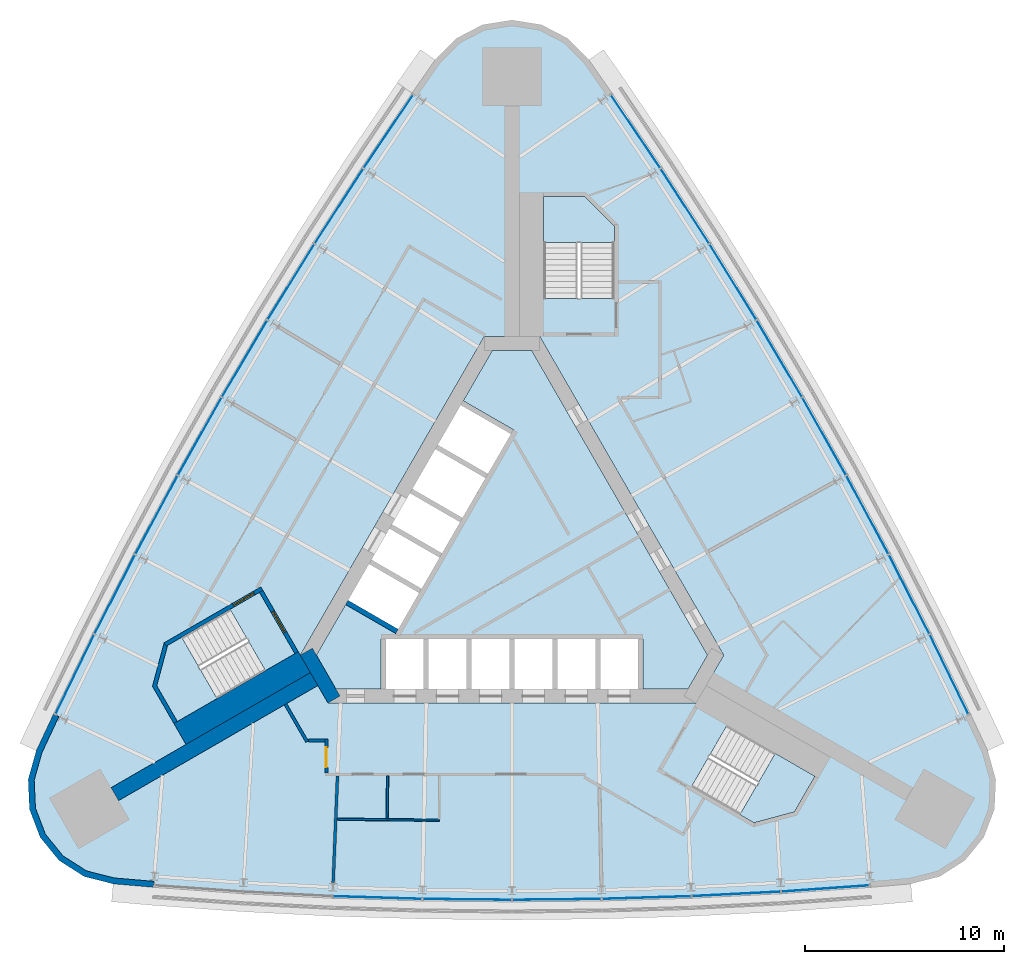
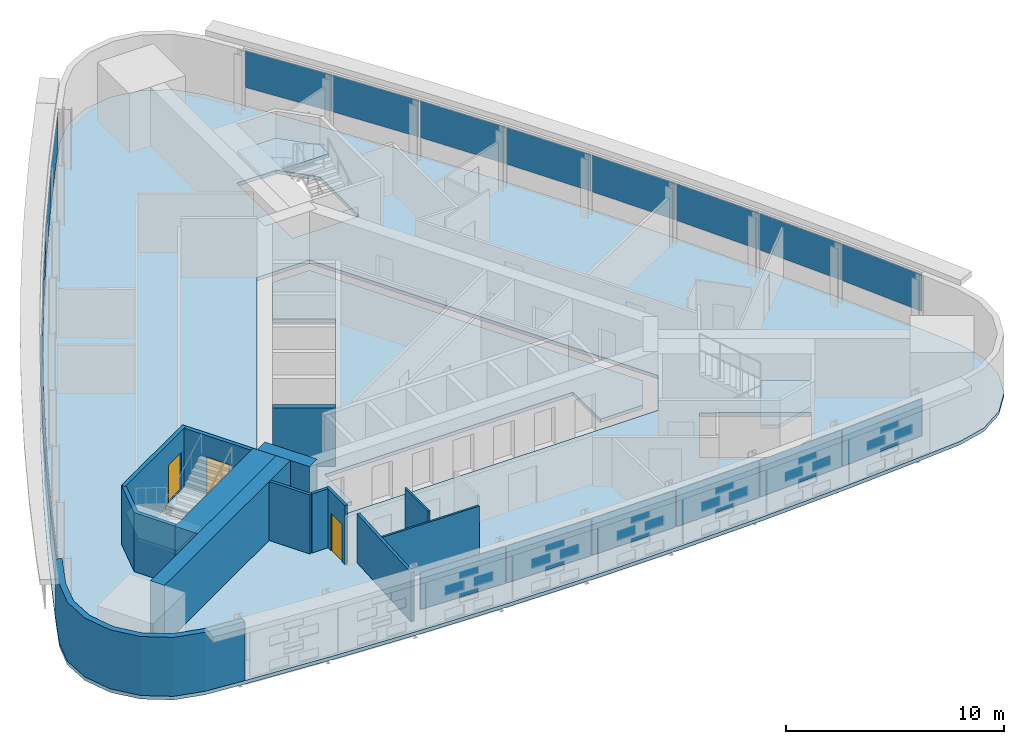
# One storey, part 6 of 11: 22 plates, 14 walls, 5 slabs, 3 doors, 3 openings, 6 elements without a shape of their own.
"""IFC4 building model written with IfcOpenShell, lengths in metres."""

from ifc_helpers import new_model, si_unit, direction, frame, frame_2d, origin, origin_2d, place, context, subcontext, project, spatial, polyline, rectangle, outline, extrude, material, layer, layer_set, type_object, element, fill, aggregate, save


model = new_model("IFC4")

# Units and contexts
model_context = context("Model", 3, precision=1e-05, world=origin(), true_north=direction((0.0, 1.0)))
body_context = subcontext(model_context, "Body", "Model", "MODEL_VIEW")
ifc_project = project(units=[si_unit("LENGTHUNIT", "METRE"), si_unit("AREAUNIT", "SQUARE_METRE"), si_unit("VOLUMEUNIT", "CUBIC_METRE"), si_unit("PLANEANGLEUNIT", "RADIAN"), si_unit("MASSUNIT", "GRAM", prefix="KILO")], contexts=[model_context])

# Site, building, storey
site_placement = place(None, origin())
site = spatial("IfcSite", under=ifc_project, at=site_placement, CompositionType="ELEMENT")
building_placement = place(site_placement, origin())
building = spatial("IfcBuilding", under=site, at=building_placement, Name="Noor Cloister Tower", CompositionType="ELEMENT")
storey_placement = place(building_placement, frame((0.0, 0.0, 123.89990234375)))
storey = spatial("IfcBuildingStorey", under=building, at=storey_placement, Name="L32", CompositionType="ELEMENT", Elevation=123.89990234375)

# Slabs
ifc_material_1 = material(Name="Concrete C40/50", Category="concrete")
ifc_layer_1 = layer(ifc_material_1, 0.199951171875)
ifc_layer_set_1 = layer_set([ifc_layer_1], Name="Core floor slab 200 C40/50")
slab_type_1 = type_object("IfcSlabType", Name="Core floor slab 200 C40/50", PredefinedType="FLOOR", material=ifc_layer_set_1)
slab_1_placement = place(storey_placement, frame((0.0, 0.0, -0.199951171875)))
element("IfcSlab", 1, at=slab_1_placement, inside=storey, type_object=slab_type_1, Name="Core floor L32", PredefinedType="FLOOR", context=body_context, shape_type="SweptSolid", body=[
    extrude(outline(polyline([(-6.574951171875, -6.228271484375), (-6.574951171875, -3.728271484375), (6.574951171875, -3.728271484375), (6.574951171875, -6.228271484375), (8.82470703125, -6.228271484375), (9.80615234375, -4.5283203125), (0.9814453125, 10.75634765625), (-0.9814453125, 10.75634765625), (-2.44384765625, 8.2236328125), (0.067626953125, 6.773681640625), (-5.832275390625, -3.4453125), (-8.34375, -1.995361328125), (-9.80615234375, -4.5283203125), (-8.82470703125, -6.228271484375), (-6.574951171875, -6.228271484375)])), origin(), (0.0, 0.0, 1.0), 0.199951171875),
])
ifc_material_2 = material(Name="Concrete C40/50", Category="concrete")
ifc_layer_2 = layer(ifc_material_2, 0.199951171875)
ifc_layer_set_2 = layer_set([ifc_layer_2], Name="Floor slab 200 C40/50")
slab_type_2 = type_object("IfcSlabType", Name="Floor slab 200 C40/50", PredefinedType="FLOOR", material=ifc_layer_set_2)
slab_2_placement = place(storey_placement, frame((0.0, 0.0, -0.199951171875)))
element("IfcSlab", 2, at=slab_2_placement, inside=storey, type_object=slab_type_2, Name="Floor slab L32", PredefinedType="FLOOR", context=body_context, shape_type="SweptSolid", body=[
    extrude(outline(polyline([(3.853271484375, 25.31689453125), (2.807373046875, 26.38818359375), (1.478271484375, 27.07763671875), (0.0, 27.3154296875), (-1.478271484375, 27.07763671875), (-2.807373046875, 26.38818359375), (-3.853271484375, 25.31689453125), (-5.0126953125, 23.65576171875), (-7.533447265625, 19.92822265625), (-9.978271484375, 16.150390625), (-12.345703125, 12.323486328125), (-14.635009765625, 8.449462890625), (-16.845458984375, 4.52978515625), (-18.9755859375, 0.566162109375), (-21.025146484375, -3.43994140625), (-22.992919921875, -7.48681640625), (-23.851806640625, -9.321533203125), (-24.256591796875, -10.762939453125), (-24.18896484375, -12.258544921875), (-23.65576171875, -13.65771484375), (-22.710693359375, -14.81884765625), (-21.44921875, -15.625244140625), (-19.99853515625, -15.995361328125), (-17.980224609375, -16.1689453125), (-13.49169921875, -16.48828125), (-8.99755859375, -16.716552734375), (-4.499755859375, -16.853515625), (0.0, -16.899169921875), (4.499755859375, -16.853515625), (8.99755859375, -16.716552734375), (13.49169921875, -16.48828125), (17.980224609375, -16.1689453125), (19.99853515625, -15.995361328125), (21.44921875, -15.625244140625), (22.710693359375, -14.81884765625), (23.65576171875, -13.65771484375), (24.18896484375, -12.258544921875), (24.256591796875, -10.762939453125), (23.851806640625, -9.321533203125), (22.992919921875, -7.48681640625), (21.025146484375, -3.43994140625), (18.9755859375, 0.566162109375), (16.845458984375, 4.52978515625), (14.635009765625, 8.449462890625), (12.345703125, 12.323486328125), (9.978271484375, 16.150390625), (7.533447265625, 19.92822265625), (5.0126953125, 23.65576171875), (3.853271484375, 25.31689453125)]), holes=[polyline([(8.999755859375, -11.126220703125), (12.131591796875, -12.934326171875), (14.1572265625, -12.3916015625), (15.19091796875, -10.601318359375), (10.774658203125, -8.0517578125), (8.999755859375, -11.126220703125)]), polyline([(-17.81005859375, -6.064697265625), (-16.776611328125, -7.85498046875), (-12.3603515625, -5.305419921875), (-14.13525390625, -2.23095703125), (-16.662841796875, -3.690185546875), (-17.267333984375, -4.039306640625), (-17.81005859375, -6.064697265625)]), polyline([(-10.6142578125, -4.5283203125), (-9.228759765625, -6.92822265625), (9.228759765625, -6.92822265625), (10.6142578125, -4.5283203125), (1.3857421875, 11.456298828125), (-1.3857421875, 11.456298828125), (-10.6142578125, -4.5283203125)]), polyline([(3.65283203125, 18.456298828125), (1.585693359375, 18.456298828125), (1.585693359375, 13.35693359375), (5.135498046875, 13.35693359375), (5.135498046875, 16.9736328125), (3.65283203125, 18.456298828125)])]), origin(), (0.0, 0.0, 1.0), 0.199951171875),
])

# Curtain wall, plates
ifc_material_3 = material(Name="Aluminium 6063-T6 anodised", Category="aluminium")
curtain_wall_type = type_object("IfcCurtainWallType", Name="Ribbon curtain wall, lower tower CW1", PredefinedType="NOTDEFINED", material=ifc_material_3)
curtain_wall_1_placement = place(storey_placement, origin())
curtain_wall_1 = element("IfcCurtainWall", 3, at=curtain_wall_1_placement, inside=storey, type_object=curtain_wall_type, Name="CW1 L32 NW run 1", PredefinedType="NOTDEFINED")
ifc_material_4 = material(Name="Clear laminated glass 2 x 8 mm", Category="glass")
ifc_layer_3 = layer(ifc_material_4, 0.028076171875)
ifc_layer_set_3 = layer_set([ifc_layer_3], Name="Glass panel CW1")
plate_type = type_object("IfcPlateType", Name="Glass panel CW1", PredefinedType="CURTAIN_PANEL", material=ifc_layer_set_3)
plate_1_placement = place(storey_placement, frame((-6.201171875, 21.719970703125, 1.08984375), z_axis=(0.0, 0.0, 1.0), x_axis=(-0.560202787374, -0.828355501592, 0.0)))
plate_1 = element("IfcPlate", 4, at=plate_1_placement, type_object=plate_type, Name="CW1 glass panel 1", PredefinedType="CURTAIN_PANEL", context=body_context, shape_type="SweptSolid", body=[
    extrude(rectangle(XDim=4.39892578125, YDim=0.028076171875, at=origin_2d()), origin(), (0.0, 0.0, 1.0), 2.070068359375),
])
plate_2_placement = place(storey_placement, frame((-8.671875, 17.985107421875, 1.08984375), z_axis=(0.0, 0.0, 1.0), x_axis=(-0.543277273915, -0.839553335797, 0.0)))
plate_2 = element("IfcPlate", 5, at=plate_2_placement, type_object=plate_type, Name="CW1 glass panel 2", PredefinedType="CURTAIN_PANEL", context=body_context, shape_type="SweptSolid", body=[
    extrude(rectangle(XDim=4.43798828125, YDim=0.028076171875, at=origin_2d()), origin(), (0.0, 0.0, 1.0), 2.070068359375),
])
plate_3_placement = place(storey_placement, frame((-11.076904296875, 14.184326171875, 1.08984375), z_axis=(0.0, 0.0, 1.0), x_axis=(-0.526127988992, -0.850405396972, 0.0)))
plate_3 = element("IfcPlate", 6, at=plate_3_placement, type_object=plate_type, Name="CW1 glass panel 3", PredefinedType="CURTAIN_PANEL", context=body_context, shape_type="SweptSolid", body=[
    extrude(rectangle(XDim=4.43798828125, YDim=0.028076171875, at=origin_2d()), origin(), (0.0, 0.0, 1.0), 2.070068359375),
])
plate_4_placement = place(storey_placement, frame((-13.404296875, 10.335693359375, 1.08984375), z_axis=(0.0, 0.0, 1.0), x_axis=(-0.508762010257, -0.860907205754, 0.0)))
plate_4 = element("IfcPlate", 7, at=plate_4_placement, type_object=plate_type, Name="CW1 glass panel 4", PredefinedType="CURTAIN_PANEL", context=body_context, shape_type="SweptSolid", body=[
    extrude(rectangle(XDim=4.43798828125, YDim=0.028076171875, at=origin_2d()), origin(), (0.0, 0.0, 1.0), 2.070068359375),
])
plate_5_placement = place(storey_placement, frame((-15.653076171875, 6.440673828125, 1.08984375), z_axis=(0.0, 0.0, 1.0), x_axis=(-0.491186505355, -0.87105442824, 0.0)))
plate_5 = element("IfcPlate", 8, at=plate_5_placement, type_object=plate_type, Name="CW1 glass panel 5", PredefinedType="CURTAIN_PANEL", context=body_context, shape_type="SweptSolid", body=[
    extrude(rectangle(XDim=4.43798828125, YDim=0.028076171875, at=origin_2d()), origin(), (0.0, 0.0, 1.0), 2.070068359375),
])
plate_6_placement = place(storey_placement, frame((-17.822509765625, 2.500732421875, 1.08984375), z_axis=(0.0, 0.0, 1.0), x_axis=(-0.473408682797, -0.880842902595, 0.0)))
plate_6 = element("IfcPlate", 9, at=plate_6_placement, type_object=plate_type, Name="CW1 glass panel 6", PredefinedType="CURTAIN_PANEL", context=body_context, shape_type="SweptSolid", body=[
    extrude(rectangle(XDim=4.43798828125, YDim=0.028076171875, at=origin_2d()), origin(), (0.0, 0.0, 1.0), 2.070068359375),
])
plate_7_placement = place(storey_placement, frame((-19.911376953125, -1.482421875, 1.08984375), z_axis=(0.0, 0.0, 1.0), x_axis=(-0.455435879675, -0.890268588407, 0.0)))
plate_7 = element("IfcPlate", 10, at=plate_7_placement, type_object=plate_type, Name="CW1 glass panel 7", PredefinedType="CURTAIN_PANEL", context=body_context, shape_type="SweptSolid", body=[
    extrude(rectangle(XDim=4.43798828125, YDim=0.028076171875, at=origin_2d()), origin(), (0.0, 0.0, 1.0), 2.070068359375),
])
plate_8_placement = place(storey_placement, frame((-21.91064453125, -5.489501953125, 1.08984375), z_axis=(0.0, 0.0, 1.0), x_axis=(-0.437275514056, -0.899327595933, 0.0)))
plate_8 = element("IfcPlate", 11, at=plate_8_placement, type_object=plate_type, Name="CW1 glass panel 8", PredefinedType="CURTAIN_PANEL", context=body_context, shape_type="SweptSolid", body=[
    extrude(rectangle(XDim=4.39892578125, YDim=0.028076171875, at=origin_2d()), origin(), (0.0, 0.0, 1.0), 2.070068359375),
])
aggregate(curtain_wall_1, [plate_1, plate_2, plate_3, plate_4, plate_5, plate_6, plate_7, plate_8])

curtain_wall_2_placement = place(storey_placement, origin())
curtain_wall_2 = element("IfcCurtainWall", 12, at=curtain_wall_2_placement, inside=storey, type_object=curtain_wall_type, Name="CW1 L32 S run 2", PredefinedType="NOTDEFINED")
plate_9_placement = place(storey_placement, frame((-6.74560546875, -16.68505859375, 1.08984375), z_axis=(0.0, 0.0, 1.0), x_axis=(0.999536671789, -0.030437505623, 0.0)))
plate_9 = element("IfcPlate", 13, at=plate_9_placement, type_object=plate_type, Name="CW1 glass panel 3", PredefinedType="CURTAIN_PANEL", context=body_context, shape_type="SweptSolid", body=[
    extrude(rectangle(XDim=4.43798828125, YDim=0.028076171875, at=origin_2d()), origin(), (0.0, 0.0, 1.0), 2.070068359375),
])
plate_10_placement = place(storey_placement, frame((-2.248779296875, -16.7763671875, 1.08984375), z_axis=(0.0, 0.0, 1.0), x_axis=(0.999948515613, -0.010147222486, 0.0)))
plate_10 = element("IfcPlate", 14, at=plate_10_placement, type_object=plate_type, Name="CW1 glass panel 4", PredefinedType="CURTAIN_PANEL", context=body_context, shape_type="SweptSolid", body=[
    extrude(rectangle(XDim=4.43798828125, YDim=0.028076171875, at=origin_2d()), origin(), (0.0, 0.0, 1.0), 2.070068359375),
])
plate_11_placement = place(storey_placement, frame((2.248779296875, -16.7763671875, 1.08984375), z_axis=(0.0, 0.0, 1.0), x_axis=(0.999948515613, 0.010147222486, 0.0)))
plate_11 = element("IfcPlate", 15, at=plate_11_placement, type_object=plate_type, Name="CW1 glass panel 5", PredefinedType="CURTAIN_PANEL", context=body_context, shape_type="SweptSolid", body=[
    extrude(rectangle(XDim=4.43798828125, YDim=0.028076171875, at=origin_2d()), origin(), (0.0, 0.0, 1.0), 2.070068359375),
])
plate_12_placement = place(storey_placement, frame((6.74560546875, -16.68505859375, 1.08984375), z_axis=(0.0, 0.0, 1.0), x_axis=(0.999536671789, 0.030437505623, 0.0)))
plate_12 = element("IfcPlate", 16, at=plate_12_placement, type_object=plate_type, Name="CW1 glass panel 6", PredefinedType="CURTAIN_PANEL", context=body_context, shape_type="SweptSolid", body=[
    extrude(rectangle(XDim=4.43798828125, YDim=0.028076171875, at=origin_2d()), origin(), (0.0, 0.0, 1.0), 2.070068359375),
])
plate_13_placement = place(storey_placement, frame((11.239501953125, -16.50244140625, 1.08984375), z_axis=(0.0, 0.0, 1.0), x_axis=(0.998713153589, 0.050715252611, 0.0)))
plate_13 = element("IfcPlate", 17, at=plate_13_placement, type_object=plate_type, Name="CW1 glass panel 7", PredefinedType="CURTAIN_PANEL", context=body_context, shape_type="SweptSolid", body=[
    extrude(rectangle(XDim=4.43798828125, YDim=0.028076171875, at=origin_2d()), origin(), (0.0, 0.0, 1.0), 2.070068359375),
])
plate_14_placement = place(storey_placement, frame((15.70947265625, -16.230224609375, 1.08984375), z_axis=(0.0, 0.0, 1.0), x_axis=(0.997478301431, 0.070972094341, 0.0)))
plate_14 = element("IfcPlate", 18, at=plate_14_placement, type_object=plate_type, Name="CW1 glass panel 8", PredefinedType="CURTAIN_PANEL", context=body_context, shape_type="SweptSolid", body=[
    extrude(rectangle(XDim=4.39892578125, YDim=0.028076171875, at=origin_2d()), origin(), (0.0, 0.0, 1.0), 2.070068359375),
])
aggregate(curtain_wall_2, [plate_9, plate_10, plate_11, plate_12, plate_13, plate_14])

curtain_wall_3_placement = place(storey_placement, origin())
curtain_wall_3 = element("IfcCurtainWall", 19, at=curtain_wall_3_placement, inside=storey, type_object=curtain_wall_type, Name="CW1 L32 NE run 3", PredefinedType="NOTDEFINED")
plate_15_placement = place(storey_placement, frame((21.91064453125, -5.489501953125, 1.08984375), z_axis=(0.0, 0.0, 1.0), x_axis=(-0.437275514056, 0.899327595933, 0.0)))
plate_15 = element("IfcPlate", 20, at=plate_15_placement, type_object=plate_type, Name="CW1 glass panel 1", PredefinedType="CURTAIN_PANEL", context=body_context, shape_type="SweptSolid", body=[
    extrude(rectangle(XDim=4.39892578125, YDim=0.028076171875, at=origin_2d()), origin(), (0.0, 0.0, 1.0), 2.070068359375),
])
plate_16_placement = place(storey_placement, frame((19.911376953125, -1.482421875, 1.08984375), z_axis=(0.0, 0.0, 1.0), x_axis=(-0.455435879675, 0.890268588407, 0.0)))
plate_16 = element("IfcPlate", 21, at=plate_16_placement, type_object=plate_type, Name="CW1 glass panel 2", PredefinedType="CURTAIN_PANEL", context=body_context, shape_type="SweptSolid", body=[
    extrude(rectangle(XDim=4.43798828125, YDim=0.028076171875, at=origin_2d()), origin(), (0.0, 0.0, 1.0), 2.070068359375),
])
plate_17_placement = place(storey_placement, frame((17.822509765625, 2.500732421875, 1.08984375), z_axis=(0.0, 0.0, 1.0), x_axis=(-0.473408682797, 0.880842902595, 0.0)))
plate_17 = element("IfcPlate", 22, at=plate_17_placement, type_object=plate_type, Name="CW1 glass panel 3", PredefinedType="CURTAIN_PANEL", context=body_context, shape_type="SweptSolid", body=[
    extrude(rectangle(XDim=4.43798828125, YDim=0.028076171875, at=origin_2d()), origin(), (0.0, 0.0, 1.0), 2.070068359375),
])
plate_18_placement = place(storey_placement, frame((15.653076171875, 6.440673828125, 1.08984375), z_axis=(0.0, 0.0, 1.0), x_axis=(-0.491186505355, 0.87105442824, 0.0)))
plate_18 = element("IfcPlate", 23, at=plate_18_placement, type_object=plate_type, Name="CW1 glass panel 4", PredefinedType="CURTAIN_PANEL", context=body_context, shape_type="SweptSolid", body=[
    extrude(rectangle(XDim=4.43798828125, YDim=0.028076171875, at=origin_2d()), origin(), (0.0, 0.0, 1.0), 2.070068359375),
])
plate_19_placement = place(storey_placement, frame((13.404296875, 10.335693359375, 1.08984375), z_axis=(0.0, 0.0, 1.0), x_axis=(-0.508762010257, 0.860907205754, 0.0)))
plate_19 = element("IfcPlate", 24, at=plate_19_placement, type_object=plate_type, Name="CW1 glass panel 5", PredefinedType="CURTAIN_PANEL", context=body_context, shape_type="SweptSolid", body=[
    extrude(rectangle(XDim=4.43798828125, YDim=0.028076171875, at=origin_2d()), origin(), (0.0, 0.0, 1.0), 2.070068359375),
])
plate_20_placement = place(storey_placement, frame((11.076904296875, 14.184326171875, 1.08984375), z_axis=(0.0, 0.0, 1.0), x_axis=(-0.526127988992, 0.850405396972, 0.0)))
plate_20 = element("IfcPlate", 25, at=plate_20_placement, type_object=plate_type, Name="CW1 glass panel 6", PredefinedType="CURTAIN_PANEL", context=body_context, shape_type="SweptSolid", body=[
    extrude(rectangle(XDim=4.43798828125, YDim=0.028076171875, at=origin_2d()), origin(), (0.0, 0.0, 1.0), 2.070068359375),
])
plate_21_placement = place(storey_placement, frame((8.671875, 17.985107421875, 1.08984375), z_axis=(0.0, 0.0, 1.0), x_axis=(-0.543277273915, 0.839553335797, 0.0)))
plate_21 = element("IfcPlate", 26, at=plate_21_placement, type_object=plate_type, Name="CW1 glass panel 7", PredefinedType="CURTAIN_PANEL", context=body_context, shape_type="SweptSolid", body=[
    extrude(rectangle(XDim=4.43798828125, YDim=0.028076171875, at=origin_2d()), origin(), (0.0, 0.0, 1.0), 2.070068359375),
])
plate_22_placement = place(storey_placement, frame((6.201171875, 21.719970703125, 1.08984375), z_axis=(0.0, 0.0, 1.0), x_axis=(-0.560202787374, 0.828355501592, 0.0)))
plate_22 = element("IfcPlate", 27, at=plate_22_placement, type_object=plate_type, Name="CW1 glass panel 8", PredefinedType="CURTAIN_PANEL", context=body_context, shape_type="SweptSolid", body=[
    extrude(rectangle(XDim=4.39892578125, YDim=0.028076171875, at=origin_2d()), origin(), (0.0, 0.0, 1.0), 2.070068359375),
])
aggregate(curtain_wall_3, [plate_15, plate_16, plate_17, plate_18, plate_19, plate_20, plate_21, plate_22])

# Stair, slab
ifc_material_5 = material(Name="Concrete C40/50", Category="concrete")
stair_type = type_object("IfcStairType", Name="Exit stair 22 risers", PredefinedType="HALF_TURN_STAIR", material=ifc_material_5)
stair_1_placement = place(storey_placement, origin())
stair_1 = element("IfcStair", 28, at=stair_1_placement, inside=storey, type_object=stair_type, Name="Exit stair ST1 L32", PredefinedType="HALF_TURN_STAIR")
ifc_material_6 = material(Name="Concrete C40/50", Category="concrete")
ifc_layer_4 = layer(ifc_material_6, 0.199951171875)
ifc_layer_set_4 = layer_set([ifc_layer_4], Name="Stair landing 200 C40/50")
slab_type_3 = type_object("IfcSlabType", Name="Stair landing 200 C40/50", PredefinedType="LANDING", material=ifc_layer_set_4)
slab_3_placement = place(storey_placement, frame((0.0, 0.0, 1.60009765625)))
slab_3 = element("IfcSlab", 29, at=slab_3_placement, type_object=slab_type_3, Name="ST1 landing 1", PredefinedType="LANDING", context=body_context, shape_type="SweptSolid", body=[
    extrude(outline(polyline([(5.135498046875, 16.15576171875), (5.135498046875, 16.9736328125), (3.65283203125, 18.456298828125), (1.585693359375, 18.456298828125), (1.585693359375, 16.15576171875), (5.135498046875, 16.15576171875)])), origin(), (0.0, 0.0, 1.0), 0.199951171875),
])
aggregate(stair_1, [slab_3])

stair_2_placement = place(storey_placement, origin())
stair_2 = element("IfcStair", 30, at=stair_2_placement, inside=storey, type_object=stair_type, Name="Exit stair ST2 L32", PredefinedType="HALF_TURN_STAIR")
slab_4_placement = place(storey_placement, frame((0.0, 0.0, 1.60009765625)))
slab_4 = element("IfcSlab", 31, at=slab_4_placement, type_object=slab_type_3, Name="ST2 landing 1", PredefinedType="LANDING", context=body_context, shape_type="SweptSolid", body=[
    extrude(outline(polyline([(-16.55908203125, -3.63037109375), (-17.267333984375, -4.039306640625), (-17.81005859375, -6.064697265625), (-16.776611328125, -7.85498046875), (-14.7841796875, -6.70458984375), (-16.55908203125, -3.63037109375)])), origin(), (0.0, 0.0, 1.0), 0.199951171875),
])
aggregate(stair_2, [slab_4])

stair_3_placement = place(storey_placement, origin())
stair_3 = element("IfcStair", 32, at=stair_3_placement, inside=storey, type_object=stair_type, Name="Exit stair ST3 L32", PredefinedType="HALF_TURN_STAIR")
slab_5_placement = place(storey_placement, frame((0.0, 0.0, 1.60009765625)))
slab_5 = element("IfcSlab", 33, at=slab_5_placement, type_object=slab_type_3, Name="ST3 landing 1", PredefinedType="LANDING", context=body_context, shape_type="SweptSolid", body=[
    extrude(outline(polyline([(11.423583984375, -12.525390625), (12.131591796875, -12.934326171875), (14.1572265625, -12.3916015625), (15.19091796875, -10.601318359375), (13.198486328125, -9.451171875), (11.423583984375, -12.525390625)])), origin(), (0.0, 0.0, 1.0), 0.199951171875),
])
aggregate(stair_3, [slab_5])

# Walls
ifc_material_7 = material(Name="Concrete C80/95", Category="concrete")
ifc_layer_5 = layer(ifc_material_7, 0.75)
ifc_layer_set_5 = layer_set([ifc_layer_5], Name="Buttress wall 750 C80/95")
wall_type_1 = type_object("IfcWallType", Name="Buttress wall 750 C80/95", PredefinedType="SHEAR", material=ifc_layer_set_5)
wall_1_placement = place(storey_placement, frame((-9.921630859375, -5.728271484375, -0.199951171875), z_axis=(0.0, 0.0, 1.0), x_axis=(-0.866024913782, -0.500000848707, 0.0)))
element("IfcWall", 34, at=wall_1_placement, inside=storey, type_object=wall_type_1, Name="Buttress wall SW L32", PredefinedType="SHEAR", context=body_context, shape_type="SweptSolid", body=[
    extrude(rectangle(XDim=11.53857421875, YDim=0.75, at=frame_2d((5.769287109375, 0.0))), origin(), (0.0, 0.0, 1.0), 3.5),
])
ifc_material_8 = material(Name="Concrete C80/95", Category="concrete")
ifc_layer_6 = layer(ifc_material_8, 0.699951171875)
ifc_layer_set_6 = layer_set([ifc_layer_6], Name="Core wall 700 C80/95")
wall_type_2 = type_object("IfcWallType", Name="Core wall 700 C80/95", PredefinedType="SHEAR", material=ifc_layer_set_6)
wall_2_placement = place(storey_placement, frame((-10.311279296875, -4.353271484375, -0.199951171875), z_axis=(0.0, 0.0, 1.0), x_axis=(0.500042739161, -0.866000726912, 0.0)))
element("IfcWall", 35, at=wall_2_placement, inside=storey, type_object=wall_type_2, Name="Core wall L32 6", PredefinedType="SHEAR", context=body_context, shape_type="SweptSolid", body=[
    extrude(rectangle(XDim=2.771240234375, YDim=0.699951171875, at=frame_2d((1.3857421875, 0.0))), origin(), (0.0, 0.0, 1.0), 3.5),
])
ifc_material_9 = material(Name="Gypsum board partition on steel studs, 150 mm", Category="steel")
ifc_layer_7 = layer(ifc_material_9, 0.14990234375)
ifc_layer_set_7 = layer_set([ifc_layer_7], Name="Flat wall 150")
wall_type_3 = type_object("IfcWallType", Name="Flat wall 150", PredefinedType="PARTITIONING", material=ifc_layer_set_7)
wall_3_placement = place(storey_placement, frame((-11.35791015625, -6.990478515625, 0.0), z_axis=(0.0, 0.0, 1.0), x_axis=(0.500050590816, -0.865996193193, 0.0)))
element("IfcWall", 36, at=wall_3_placement, inside=storey, type_object=wall_type_3, Name="Flat wall 150 L32 009", PredefinedType="PARTITIONING", context=body_context, shape_type="SweptSolid", body=[
    extrude(rectangle(XDim=2.168212890625, YDim=0.14990234375, at=frame_2d((1.083984375, 0.0))), origin(), (0.0, 0.0, 1.0), 3.300048828125),
])

# Wall, opening, door
wall_4_placement = place(storey_placement, frame((-9.3037109375, -10.42822265625, 0.0), z_axis=(0.0, 0.0, 1.0), x_axis=(0.0, 1.0, 0.0)))
wall_4 = element("IfcWall", 37, at=wall_4_placement, inside=storey, type_object=wall_type_3, Name="Flat wall 150 L32 014", PredefinedType="PARTITIONING", context=body_context, shape_type="SweptSolid", body=[
    extrude(rectangle(XDim=1.699951171875, YDim=0.14990234375, at=frame_2d((0.85009765625, 0.0))), origin(), (0.0, 0.0, 1.0), 3.300048828125),
])
opening_1_placement = place(wall_4_placement, frame((0.27490234375, 0.0, 0.0)))
opening_1 = element("IfcOpeningElement", 38, at=opening_1_placement, cuts=wall_4, Name="Opening L32-011", PredefinedType="OPENING", context=body_context, shape_type="SweptSolid", body=[
    extrude(rectangle(XDim=1.0, YDim=2.10009765625, at=frame_2d((0.5, 1.050048828125))), frame((0.0, 0.0849609375, 0.0), z_axis=(0.0, -1.0, 0.0), x_axis=(1.0, 0.0, 0.0)), (0.0, 0.0, 1.0), 0.169921875),
])
ifc_material_10 = material(Name="Timber door leaf with steel frame", Category="steel")
door_type_1 = type_object("IfcDoorType", Name="Interior door 1000 FD60", OperationType="NOTDEFINED", PredefinedType="DOOR", material=ifc_material_10)
door_1_placement = place(opening_1_placement, origin())
door_1 = element("IfcDoor", 39, at=door_1_placement, inside=storey, type_object=door_type_1, Name="Interior door 1000 L32-011", OperationType="SINGLE_SWING_LEFT", OverallHeight=2.10009765625, OverallWidth=1.0, PredefinedType="DOOR", context=body_context, shape_type="SweptSolid", body=[
    extrude(rectangle(XDim=1.0, YDim=2.10009765625, at=frame_2d((0.5, 1.050048828125))), frame((0.0, 0.02490234375, 0.0), z_axis=(0.0, -1.0, 0.0), x_axis=(1.0, 0.0, 0.0)), (0.0, 0.0, 1.0), 0.050048828125),
])
fill(opening_1, door_1)

# Walls
wall_5_placement = place(storey_placement, frame((-10.208740234375, -8.80322265625, 0.0), z_axis=(0.0, 0.0, 1.0), x_axis=(1.0, 0.0, 0.0)))
element("IfcWall", 40, at=wall_5_placement, inside=storey, type_object=wall_type_3, Name="Flat wall 150 L32 015", PredefinedType="PARTITIONING", context=body_context, shape_type="SweptSolid", body=[
    extrude(rectangle(XDim=0.830078125, YDim=0.14990234375, at=frame_2d((0.4150390625, 0.0))), origin(), (0.0, 0.0, 1.0), 3.300048828125),
])
wall_6_placement = place(storey_placement, frame((-8.965087890625, -15.9169921875, 0.0), z_axis=(0.0, 0.0, 1.0), x_axis=(0.040597936434, 0.999175563931, 0.0)))
element("IfcWall", 41, at=wall_6_placement, inside=storey, type_object=wall_type_3, Name="Flat wall 150 L32 017", PredefinedType="PARTITIONING", context=body_context, shape_type="SweptSolid", body=[
    extrude(rectangle(XDim=5.340087890625, YDim=0.14990234375, at=frame_2d((2.669921875, 0.0))), origin(), (0.0, 0.0, 1.0), 2.7470703125),
])
ifc_material_11 = material(Name="Limestone", Category="masonry")
ifc_layer_8 = layer(ifc_material_11, 0.300048828125)
ifc_layer_set_8 = layer_set([ifc_layer_8], Name="Limestone cladding 300")
wall_type_4 = type_object("IfcWallType", Name="Limestone cladding 300", PredefinedType="NOTDEFINED", material=ifc_layer_set_8)
wall_7_placement = place(storey_placement, origin())
element("IfcWall", 42, at=wall_7_placement, inside=storey, type_object=wall_type_4, Name="Limestone pier cladding L32 1.1", PredefinedType="NOTDEFINED", context=body_context, shape_type="SweptSolid", body=[
    extrude(outline(polyline([(-22.992919921875, -7.48681640625), (-23.851806640625, -9.321533203125), (-24.256591796875, -10.762939453125), (-24.18896484375, -12.258544921875), (-23.65576171875, -13.65771484375), (-22.710693359375, -14.81884765625), (-21.44921875, -15.625244140625), (-19.99853515625, -15.995361328125), (-17.980224609375, -16.1689453125), (-17.95458984375, -15.8701171875), (-19.9482421875, -15.69873046875), (-21.328369140625, -15.3466796875), (-22.508544921875, -14.59228515625), (-23.392578125, -13.505859375), (-23.891357421875, -12.19677734375), (-23.95458984375, -10.797607421875), (-23.569580078125, -9.42626953125), (-22.72119140625, -7.614013671875), (-22.992919921875, -7.48681640625)])), origin(), (0.0, 0.0, 1.0), 3.300048828125),
])
ifc_material_12 = material(Name="Gypsum board partition on steel studs, 100 mm", Category="steel")
ifc_layer_9 = layer(ifc_material_12, 0.10009765625)
ifc_layer_set_9 = layer_set([ifc_layer_9], Name="Partition 100")
wall_type_5 = type_object("IfcWallType", Name="Partition 100", PredefinedType="PARTITIONING", material=ifc_layer_set_9)
wall_8_placement = place(storey_placement, frame((-8.760009765625, -12.754150390625, 0.0), z_axis=(0.0, 0.0, 1.0), x_axis=(0.999948543491, -0.010144474863, 0.0)))
element("IfcWall", 43, at=wall_8_placement, inside=storey, type_object=wall_type_5, Name="Partition 100 L32 022", PredefinedType="PARTITIONING", context=body_context, shape_type="SweptSolid", body=[
    extrude(rectangle(XDim=5.10205078125, YDim=0.10009765625, at=frame_2d((2.551025390625, 0.0))), origin(), (0.0, 0.0, 1.0), 2.7470703125),
])
wall_9_placement = place(storey_placement, frame((-6.257568359375, -12.7294921875, 0.0), z_axis=(0.0, 0.0, 1.0), x_axis=(0.010101641199, 0.999948977121, 0.0)))
element("IfcWall", 44, at=wall_9_placement, inside=storey, type_object=wall_type_5, Name="Partition 100 L32 029", PredefinedType="PARTITIONING", context=body_context, shape_type="SweptSolid", body=[
    extrude(rectangle(XDim=2.15087890625, YDim=0.10009765625, at=frame_2d((1.075439453125, 0.0))), origin(), (0.0, 0.0, 1.0), 3.300048828125),
])
ifc_material_13 = material(Name="Concrete C80/95", Category="concrete")
ifc_layer_10 = layer(ifc_material_13, 0.25)
ifc_layer_set_10 = layer_set([ifc_layer_10], Name="Shaft wall 250 C80/95")
wall_type_6 = type_object("IfcWallType", Name="Shaft wall 250 C80/95", PredefinedType="PARTITIONING", material=ifc_layer_set_10)
wall_10_placement = place(storey_placement, frame((-8.28125, -1.88720703125, -0.199951171875), z_axis=(0.0, 0.0, 1.0), x_axis=(0.866032775405, -0.499987231761, 0.0)))
element("IfcWall", 45, at=wall_10_placement, inside=storey, type_object=wall_type_6, Name="Lift shaft wall L32 NW 6", PredefinedType="PARTITIONING", context=body_context, shape_type="SweptSolid", body=[
    extrude(rectangle(XDim=2.89990234375, YDim=0.25, at=frame_2d((1.449951171875, 0.0))), origin(), (0.0, 0.0, 1.0), 3.5),
])
ifc_material_14 = material(Name="Concrete C80/95", Category="concrete")
ifc_layer_11 = layer(ifc_material_14, 1.2109375)
ifc_layer_set_11 = layer_set([ifc_layer_11], Name="Stair enclosure wall 1211 C80/95")
wall_type_7 = type_object("IfcWallType", Name="Stair enclosure wall 1211 C80/95", PredefinedType="SHEAR", material=ifc_layer_set_11)
wall_11_placement = place(storey_placement, frame((-10.41162109375, -4.879150390625, -0.199951171875), z_axis=(0.0, 0.0, 1.0), x_axis=(-0.866026919366, -0.499997374926, 0.0)))
element("IfcWall", 46, at=wall_11_placement, inside=storey, type_object=wall_type_7, Name="Stair enclosure wall ST2 L32 riser side", PredefinedType="SHEAR", context=body_context, shape_type="SweptSolid", body=[
    extrude(rectangle(XDim=7.2001953125, YDim=1.210693359375, at=frame_2d((3.60009765625, 0.0))), origin(), (0.0, 0.0, 1.0), 3.5),
])

# Wall, opening, door
ifc_material_15 = material(Name="Concrete C80/95", Category="concrete")
ifc_layer_12 = layer(ifc_material_15, 0.199951171875)
ifc_layer_set_12 = layer_set([ifc_layer_12], Name="Stair enclosure wall 200 C80/95")
wall_type_8 = type_object("IfcWallType", Name="Stair enclosure wall 200 C80/95", PredefinedType="SHEAR", material=ifc_layer_set_12)
wall_12_placement = place(storey_placement, frame((-12.575927734375, -1.33056640625, -0.199951171875), z_axis=(0.0, 0.0, 1.0), x_axis=(0.499970499736, -0.8660424351, 0.0)))
wall_12 = element("IfcWall", 47, at=wall_12_placement, inside=storey, type_object=wall_type_8, Name="Stair enclosure wall ST2 L32 near end", PredefinedType="SHEAR", context=body_context, shape_type="SweptSolid", body=[
    extrude(rectangle(XDim=3.550048828125, YDim=0.199951171875, at=frame_2d((1.77490234375, 0.0))), origin(), (0.0, 0.0, 1.0), 3.5),
])
opening_2_placement = place(wall_12_placement, frame((1.175048828125, 0.0, 0.199951171875)))
opening_2 = element("IfcOpeningElement", 48, at=opening_2_placement, cuts=wall_12, Name="Opening L32-ST2L", PredefinedType="OPENING", context=body_context, shape_type="SweptSolid", body=[
    extrude(rectangle(XDim=1.199951171875, YDim=2.10009765625, at=frame_2d((0.60009765625, 1.050048828125))), frame((0.0, 0.10986328125, 0.0), z_axis=(0.0, -1.0, 0.0), x_axis=(1.0, 0.0, 0.0)), (0.0, 0.0, 1.0), 0.219970703125),
])
ifc_material_16 = material(Name="Steel", Category="steel")
door_type_2 = type_object("IfcDoorType", Name="Stair door 1200 x 2100 FD120", OperationType="SINGLE_SWING_LEFT", PredefinedType="DOOR", material=ifc_material_16)
door_2_placement = place(opening_2_placement, origin())
door_2 = element("IfcDoor", 49, at=door_2_placement, inside=storey, type_object=door_type_2, Name="Stair door ST2 L32", OperationType="SINGLE_SWING_RIGHT", OverallHeight=2.10009765625, OverallWidth=1.199951171875, PredefinedType="DOOR", context=body_context, shape_type="SweptSolid", body=[
    extrude(rectangle(XDim=1.199951171875, YDim=2.10009765625, at=frame_2d((0.60009765625, 1.050048828125))), frame((0.0, 0.02490234375, 0.0), z_axis=(0.0, -1.0, 0.0), x_axis=(1.0, 0.0, 0.0)), (0.0, 0.0, 1.0), 0.050048828125),
])
fill(opening_2, door_2)

wall_13_placement = place(storey_placement, frame((-12.539306640625, -1.194091796875, -0.199951171875), z_axis=(0.0, 0.0, 1.0), x_axis=(-0.866045472092, -0.499965239061, 0.0)))
wall_13 = element("IfcWall", 50, at=wall_13_placement, inside=storey, type_object=wall_type_8, Name="Stair enclosure wall ST2 L32 outer side", PredefinedType="SHEAR", context=body_context, shape_type="SweptSolid", body=[
    extrude(rectangle(XDim=5.60009765625, YDim=0.199951171875, at=frame_2d((2.800048828125, 0.0))), origin(), (0.0, 0.0, 1.0), 3.5),
])
opening_3_placement = place(wall_13_placement, frame((0.449951171875, 0.0, 0.199951171875)))
opening_3 = element("IfcOpeningElement", 51, at=opening_3_placement, cuts=wall_13, Name="Opening L32-ST2C", PredefinedType="OPENING", context=body_context, shape_type="SweptSolid", body=[
    extrude(rectangle(XDim=1.199951171875, YDim=2.10009765625, at=frame_2d((0.60009765625, 1.050048828125))), frame((0.0, 0.10986328125, 0.0), z_axis=(0.0, -1.0, 0.0), x_axis=(1.0, 0.0, 0.0)), (0.0, 0.0, 1.0), 0.219970703125),
])
door_3_placement = place(opening_3_placement, origin())
door_3 = element("IfcDoor", 52, at=door_3_placement, inside=storey, type_object=door_type_2, Name="Stair door ST2 L32", OperationType="SINGLE_SWING_LEFT", OverallHeight=2.10009765625, OverallWidth=1.199951171875, PredefinedType="DOOR", context=body_context, shape_type="SweptSolid", body=[
    extrude(rectangle(XDim=1.199951171875, YDim=2.10009765625, at=frame_2d((0.60009765625, 1.050048828125))), frame((0.0, 0.02490234375, 0.0), z_axis=(0.0, -1.0, 0.0), x_axis=(1.0, 0.0, 0.0)), (0.0, 0.0, 1.0), 0.050048828125),
])
fill(opening_3, door_3)

# Wall
ifc_material_17 = material(Name="Concrete C80/95", Category="concrete")
wall_type_9 = type_object("IfcWallType", Name="Stair far end wall C80/95", PredefinedType="SHEAR", material=ifc_material_17)
wall_14_placement = place(storey_placement, frame((0.0, 0.0, -0.199951171875)))
element("IfcWall", 53, at=wall_14_placement, inside=storey, type_object=wall_type_9, Name="Stair enclosure wall ST2 L32 far end", PredefinedType="SHEAR", context=body_context, shape_type="SweptSolid", body=[
    extrude(outline(polyline([(-17.439208984375, -3.907470703125), (-18.024658203125, -6.093017578125), (-16.94970703125, -7.955078125), (-16.776611328125, -7.85498046875), (-17.81005859375, -6.064697265625), (-17.267333984375, -4.039306640625), (-17.339111328125, -4.08056640625), (-17.339111328125, -4.08056640625), (-17.339111328125, -4.08056640625), (-17.339111328125, -4.08056640625), (-17.339111328125, -4.08056640625), (-17.339111328125, -4.08056640625), (-17.339111328125, -4.08056640625), (-17.339111328125, -4.08056640625), (-17.339111328125, -4.08056640625), (-17.339111328125, -4.08056640625), (-17.339111328125, -4.08056640625), (-17.339111328125, -4.08056640625), (-17.339111328125, -4.08056640625), (-17.339111328125, -4.08056640625), (-17.339111328125, -4.08056640625), (-17.339111328125, -4.08056640625), (-17.339111328125, -4.08056640625), (-17.439208984375, -3.907470703125)])), origin(), (0.0, 0.0, 1.0), 3.5),
])

save(model, "model.ifc")
